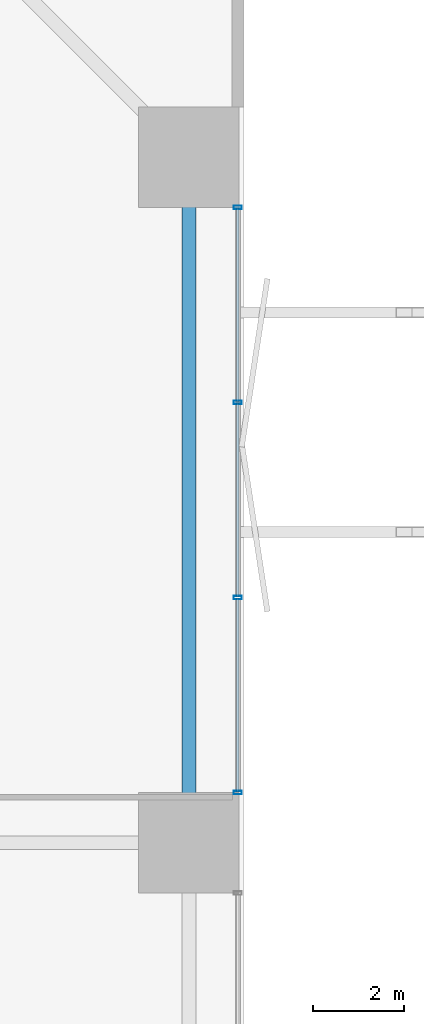
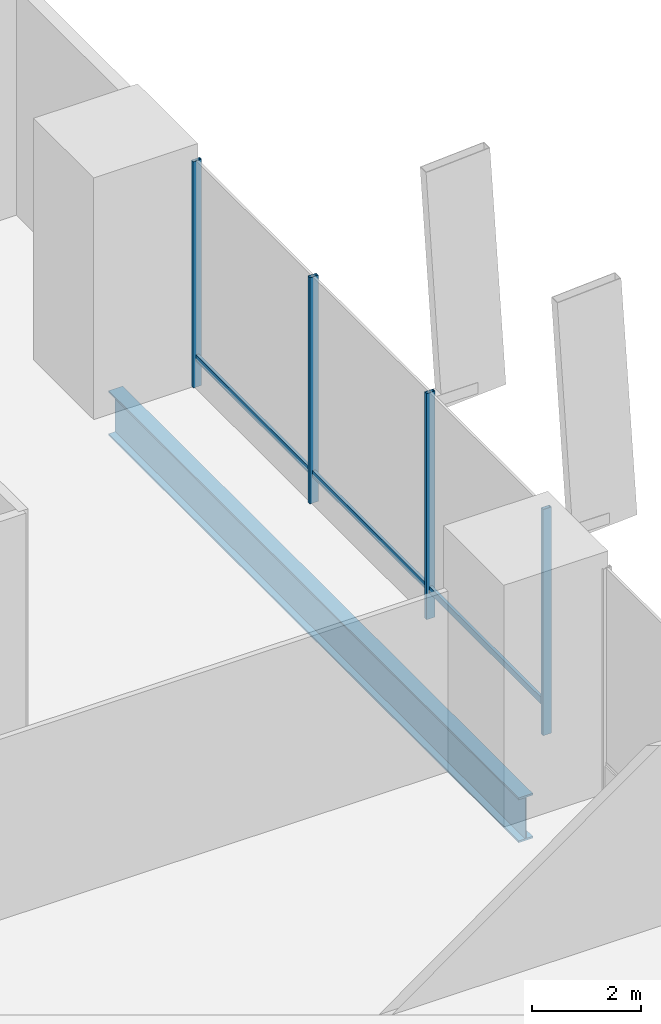
# One storey, part 15 of 24: 7 members, 1 beam, 1 element without a shape of its own.
"""IFC4 building model written with IfcOpenShell, lengths in metres."""

from ifc_helpers import new_model, si_unit, direction, frame, origin, origin_2d, place, context, subcontext, project, spatial, hollow_rectangle, i_section, extrude, material, layer, layer_set, material_profile, profile_set, type_object, element, aggregate, save


model = new_model("IFC4")

# Units and contexts
model_context = context("Model", 3, precision=1e-05, world=origin(), true_north=direction((0.0, 1.0)))
body_context = subcontext(model_context, "Body", "Model", "MODEL_VIEW")
ifc_project = project(units=[si_unit("LENGTHUNIT", "METRE"), si_unit("AREAUNIT", "SQUARE_METRE"), si_unit("VOLUMEUNIT", "CUBIC_METRE"), si_unit("PLANEANGLEUNIT", "RADIAN"), si_unit("MASSUNIT", "GRAM", prefix="KILO")], contexts=[model_context])

# Site, building, storey
site_placement = place(None, origin())
site = spatial("IfcSite", under=ifc_project, at=site_placement, CompositionType="ELEMENT")
building_placement = place(site_placement, origin())
building = spatial("IfcBuilding", under=site, at=building_placement, Name="Belovzor Exchange Tower", CompositionType="ELEMENT")
storey_placement = place(building_placement, frame((0.0, 0.0, 13.800048828125)))
storey = spatial("IfcBuildingStorey", under=building, at=storey_placement, Name="L03", CompositionType="ELEMENT", Elevation=13.800048828125)

# Beam
ifc_material_1 = material(Name="Steel S460", Category="steel")
ifc_material_profile_1 = material_profile(ifc_material_1, i_section(OverallWidth=0.300048828125, OverallDepth=1.0, WebThickness=0.02099609375, FlangeThickness=0.0400390625, at=origin_2d()))
ifc_profile_set_1 = profile_set([ifc_material_profile_1], Name="Steel S460")
beam_type = type_object("IfcBeamType", Name="Podium Exchange Hall Ring Girder HEM 1000", PredefinedType="BEAM", material=ifc_profile_set_1)
beam_placement = place(storey_placement, frame((55.800048828125, 28.800048828125, -0.85009765625), z_axis=(0.0, 1.0, 0.0), x_axis=(-1.0, 0.0, 0.0)))
element("IfcBeam", 1, at=beam_placement, inside=storey, type_object=beam_type, Name="PG-1 Podium Exchange Hall Ring Girder HEM 1000", PredefinedType="BEAM", context=body_context, shape_type="SweptSolid", body=[
    extrude(i_section(OverallWidth=0.300048828125, OverallDepth=1.0, WebThickness=0.02099609375, FlangeThickness=0.0400390625, at=origin_2d()), origin(), (0.0, 0.0, 1.0), 15.0),
])

# Curtain wall, members
ifc_material_2 = material(Name="Anodised Aluminium Framing", Category="aluminium")
ifc_layer = layer(ifc_material_2, 0.219970703125)
ifc_layer_set = layer_set([ifc_layer], Name="Anodised Aluminium Framing")
curtain_wall_type = type_object("IfcCurtainWallType", Name="Podium Clear-Span Exchange Hall Unitised Curtain Wall", PredefinedType="NOTDEFINED", material=ifc_layer_set)
curtain_wall_placement = place(storey_placement, origin())
curtain_wall = element("IfcCurtainWall", 2, at=curtain_wall_placement, inside=storey, type_object=curtain_wall_type, Name="CW1 Podium Clear-Span Exchange Hall Unitised Curtain Wall L03", PredefinedType="NOTDEFINED")
ifc_material_3 = material(Name="Steel S355", Category="steel")
ifc_material_profile_2 = material_profile(ifc_material_3, hollow_rectangle(XDim=0.074951171875, YDim=0.179931640625, WallThickness=0.0048828125, at=origin_2d()))
ifc_profile_set_2 = profile_set([ifc_material_profile_2], Name="Steel S355")
member_type_1 = type_object("IfcMemberType", Name="Thermally Broken Curtain Wall Mullion 180x75", PredefinedType="MULLION", material=ifc_profile_set_2)
member_1_placement = place(storey_placement, frame((56.8701171875, 42.699951171875, 0.0), z_axis=(0.0, 0.0, 1.0), x_axis=(0.0, -1.0, 0.0)))
member_1 = element("IfcMember", 3, at=member_1_placement, type_object=member_type_1, Name="CW-M180 Curtain Wall Mullion 1", PredefinedType="MULLION", context=body_context, shape_type="SweptSolid", body=[
    extrude(hollow_rectangle(XDim=0.074951171875, YDim=0.179931640625, WallThickness=0.0048828125, at=origin_2d()), origin(), (0.0, 0.0, 1.0), 5.050048828125),
])
member_2_placement = place(storey_placement, frame((56.8701171875, 38.43310546875, 0.0), z_axis=(0.0, 0.0, 1.0), x_axis=(0.0, -1.0, 0.0)))
member_2 = element("IfcMember", 4, at=member_2_placement, type_object=member_type_1, Name="CW-M180 Curtain Wall Mullion 2", PredefinedType="MULLION", context=body_context, shape_type="SweptSolid", body=[
    extrude(hollow_rectangle(XDim=0.074951171875, YDim=0.179931640625, WallThickness=0.0048828125, at=origin_2d()), origin(), (0.0, 0.0, 1.0), 5.050048828125),
])
member_3_placement = place(storey_placement, frame((56.8701171875, 34.1669921875, 0.0), z_axis=(0.0, 0.0, 1.0), x_axis=(0.0, -1.0, 0.0)))
member_3 = element("IfcMember", 5, at=member_3_placement, type_object=member_type_1, Name="CW-M180 Curtain Wall Mullion 3", PredefinedType="MULLION", context=body_context, shape_type="SweptSolid", body=[
    extrude(hollow_rectangle(XDim=0.074951171875, YDim=0.179931640625, WallThickness=0.0048828125, at=origin_2d()), origin(), (0.0, 0.0, 1.0), 5.050048828125),
])
member_4_placement = place(storey_placement, frame((56.8701171875, 29.89990234375, 0.0), z_axis=(0.0, 0.0, 1.0), x_axis=(0.0, -1.0, 0.0)))
member_4 = element("IfcMember", 6, at=member_4_placement, type_object=member_type_1, Name="CW-M180 Curtain Wall Mullion 4", PredefinedType="MULLION", context=body_context, shape_type="SweptSolid", body=[
    extrude(hollow_rectangle(XDim=0.074951171875, YDim=0.179931640625, WallThickness=0.0048828125, at=origin_2d()), origin(), (0.0, 0.0, 1.0), 5.050048828125),
])
ifc_material_4 = material(Name="Steel S355", Category="steel")
ifc_material_profile_3 = material_profile(ifc_material_4, hollow_rectangle(XDim=0.06005859375, YDim=0.14990234375, WallThickness=0.00390625, at=origin_2d()))
ifc_profile_set_3 = profile_set([ifc_material_profile_3], Name="Steel S355")
member_type_2 = type_object("IfcMemberType", Name="Thermally Broken Curtain Wall Transom 150x60", PredefinedType="USERDEFINED", material=ifc_profile_set_3)
member_5_placement = place(storey_placement, frame((56.8701171875, 42.69189453125, 0.64990234375), z_axis=(0.0, -1.0, 0.0), x_axis=(1.0, 0.0, 0.0)))
member_5 = element("IfcMember", 7, at=member_5_placement, type_object=member_type_2, Name="CW-T150 Curtain Wall Transom 1", ObjectType="TRANSOM", PredefinedType="USERDEFINED", context=body_context, shape_type="SweptSolid", body=[
    extrude(hollow_rectangle(XDim=0.06005859375, YDim=0.14990234375, WallThickness=0.00390625, at=origin_2d()), origin(), (0.0, 0.0, 1.0), 4.2509765625),
])
member_6_placement = place(storey_placement, frame((56.8701171875, 38.425048828125, 0.64990234375), z_axis=(0.0, -1.0, 0.0), x_axis=(1.0, 0.0, 0.0)))
member_6 = element("IfcMember", 8, at=member_6_placement, type_object=member_type_2, Name="CW-T150 Curtain Wall Transom 2", ObjectType="TRANSOM", PredefinedType="USERDEFINED", context=body_context, shape_type="SweptSolid", body=[
    extrude(hollow_rectangle(XDim=0.06005859375, YDim=0.14990234375, WallThickness=0.00390625, at=origin_2d()), origin(), (0.0, 0.0, 1.0), 4.25),
])
member_7_placement = place(storey_placement, frame((56.8701171875, 34.158935546875, 0.64990234375), z_axis=(0.0, -1.0, 0.0), x_axis=(1.0, 0.0, 0.0)))
member_7 = element("IfcMember", 9, at=member_7_placement, type_object=member_type_2, Name="CW-T150 Curtain Wall Transom 3", ObjectType="TRANSOM", PredefinedType="USERDEFINED", context=body_context, shape_type="SweptSolid", body=[
    extrude(hollow_rectangle(XDim=0.06005859375, YDim=0.14990234375, WallThickness=0.00390625, at=origin_2d()), origin(), (0.0, 0.0, 1.0), 4.2509765625),
])
aggregate(curtain_wall, [member_1, member_2, member_3, member_4, member_5, member_6, member_7])

save(model, "model.ifc")
